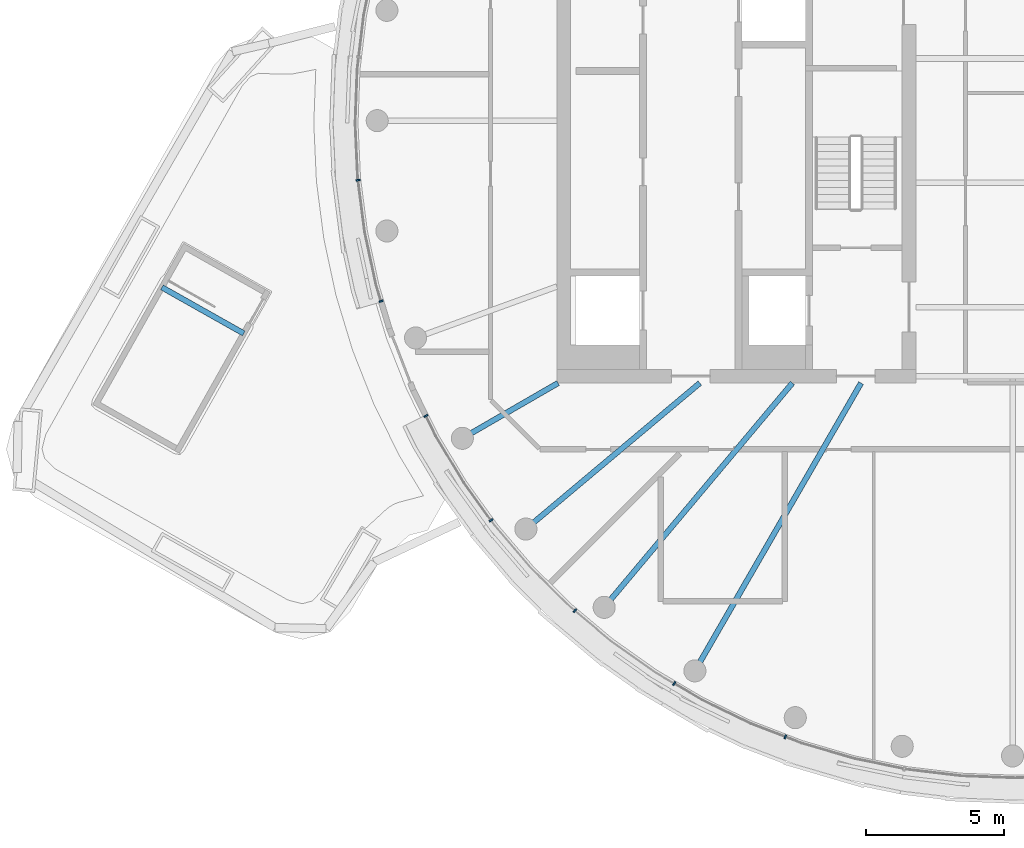
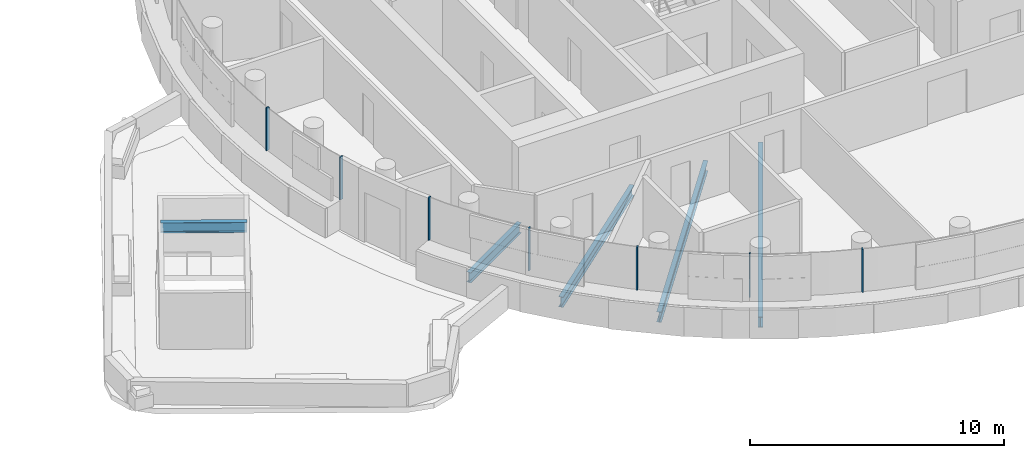
# One storey, part 2 of 22: 7 members, 5 beams, 1 element without a shape of its own.
"""IFC4 building model written with IfcOpenShell, lengths in metres."""

from ifc_helpers import new_model, si_unit, direction, frame, origin, origin_2d, place, context, subcontext, project, spatial, rectangle, i_section, extrude, material, layer, layer_set, material_profile, profile_set, type_object, element, aggregate, save


model = new_model("IFC4")

# Units and contexts
model_context = context("Model", 3, precision=1e-05, world=origin(), true_north=direction((0.0, 1.0)))
body_context = subcontext(model_context, "Body", "Model", "MODEL_VIEW")
ifc_project = project(units=[si_unit("LENGTHUNIT", "METRE"), si_unit("AREAUNIT", "SQUARE_METRE"), si_unit("VOLUMEUNIT", "CUBIC_METRE"), si_unit("PLANEANGLEUNIT", "RADIAN"), si_unit("MASSUNIT", "GRAM", prefix="KILO")], contexts=[model_context])

# Site, building, storey
site_placement = place(None, origin())
site = spatial("IfcSite", under=ifc_project, at=site_placement, CompositionType="ELEMENT")
building_placement = place(site_placement, origin())
building = spatial("IfcBuilding", under=site, at=building_placement, Name="Tamarind Cross Interchange Tower", CompositionType="ELEMENT")
storey_placement = place(building_placement, frame((0.0, 0.0, 256.800048828125)))
storey = spatial("IfcBuildingStorey", under=building, at=storey_placement, Name="L65", CompositionType="ELEMENT", Elevation=256.800048828125)

# Beams
ifc_material_1 = material(Name="Steel Q355B", Category="steel")
ifc_material_profile_1 = material_profile(ifc_material_1, i_section(OverallWidth=0.198974609375, OverallDepth=0.49609375, WebThickness=0.009033203125, FlangeThickness=0.013916015625, FilletRadius=0.012939453125, at=origin_2d()), Name="HN 496x199x9x14")
ifc_profile_set_1 = profile_set([ifc_material_profile_1], Name="Steel Q355B")
beam_type = type_object("IfcBeamType", Name="Composite beam HN 496x199x9x14 Q355B", PredefinedType="BEAM", material=ifc_profile_set_1)
beam_1_placement = place(storey_placement, frame((-19.918701171875, -11.5, -0.387939453125), z_axis=(0.866026010844, 0.49999894854, 0.0), x_axis=(-0.49999894854, 0.866026010844, 0.0)))
element("IfcBeam", 1, at=beam_1_placement, inside=storey, type_object=beam_type, Name="Beam HH21", PredefinedType="BEAM", context=body_context, shape_type="SweptSolid", body=[
    extrude(i_section(OverallWidth=0.198974609375, OverallDepth=0.49609375, WebThickness=0.009033203125, FlangeThickness=0.013916015625, FilletRadius=0.012939453125, at=origin_2d()), origin(), (0.0, 0.0, 1.0), 4.0),
])
beam_2_placement = place(storey_placement, frame((-17.619140625, -14.7841796875, -0.387939453125), z_axis=(0.766040580814, 0.642792212574, 0.0), x_axis=(-0.642792212574, 0.766040580814, 0.0)))
element("IfcBeam", 2, at=beam_2_placement, inside=storey, type_object=beam_type, Name="Beam HH22", PredefinedType="BEAM", context=body_context, shape_type="SweptSolid", body=[
    extrude(i_section(OverallWidth=0.198974609375, OverallDepth=0.49609375, WebThickness=0.009033203125, FlangeThickness=0.013916015625, FilletRadius=0.012939453125, at=origin_2d()), origin(), (0.0, 0.0, 1.0), 8.220703125),
])
beam_3_placement = place(storey_placement, frame((-14.7841796875, -17.619140625, -0.387939453125), z_axis=(0.642786293979, 0.766045547127, 0.0), x_axis=(-0.766045547127, 0.642786293979, 0.0)))
element("IfcBeam", 3, at=beam_3_placement, inside=storey, type_object=beam_type, Name="Beam HH23", PredefinedType="BEAM", context=body_context, shape_type="SweptSolid", body=[
    extrude(i_section(OverallWidth=0.198974609375, OverallDepth=0.49609375, WebThickness=0.009033203125, FlangeThickness=0.013916015625, FilletRadius=0.012939453125, at=origin_2d()), origin(), (0.0, 0.0, 1.0), 10.598876953125),
])
beam_4_placement = place(storey_placement, frame((-11.5, -19.918701171875, -0.387939453125), z_axis=(0.499993565836, 0.866029118519, 0.0), x_axis=(-0.866029118519, 0.499993565836, 0.0)))
element("IfcBeam", 4, at=beam_4_placement, inside=storey, type_object=beam_type, Name="Beam HH24", PredefinedType="BEAM", context=body_context, shape_type="SweptSolid", body=[
    extrude(i_section(OverallWidth=0.198974609375, OverallDepth=0.49609375, WebThickness=0.009033203125, FlangeThickness=0.013916015625, FilletRadius=0.012939453125, at=origin_2d()), origin(), (0.0, 0.0, 1.0), 12.030517578125),
])
beam_5_placement = place(storey_placement, frame((-27.833251953125, -7.70361328125, 2.552001953125), z_axis=(-0.871184040314, 0.490956584539, 0.0), x_axis=(-0.490956584539, -0.871184040314, 0.0)))
element("IfcBeam", 5, at=beam_5_placement, inside=storey, type_object=beam_type, Name="Beam head house ST5", PredefinedType="BEAM", context=body_context, shape_type="SweptSolid", body=[
    extrude(i_section(OverallWidth=0.198974609375, OverallDepth=0.49609375, WebThickness=0.009033203125, FlangeThickness=0.013916015625, FilletRadius=0.012939453125, at=origin_2d()), origin(), (0.0, 0.0, 1.0), 3.39990234375),
])

# Curtain wall, members
ifc_material_2 = material(Name="Aluminium 6063-T6", Category="aluminium")
ifc_layer = layer(ifc_material_2, 0.14990234375)
ifc_layer_set = layer_set([ifc_layer], Name="Aluminium 6063-T6")
curtain_wall_type = type_object("IfcCurtainWallType", Name="Winter garden and crown curtain wall", PredefinedType="NOTDEFINED", material=ifc_layer_set)
curtain_wall_placement = place(storey_placement, origin())
curtain_wall = element("IfcCurtainWall", 6, at=curtain_wall_placement, inside=storey, type_object=curtain_wall_type, Name="CWS-L65-01", PredefinedType="NOTDEFINED")
ifc_material_profile_2 = material_profile(ifc_material_2, rectangle(XDim=0.06005859375, YDim=0.14990234375, at=origin_2d()), Name="Mullion CW6")
ifc_profile_set_2 = profile_set([ifc_material_profile_2], Name="Aluminium 6063-T6")
member_type = type_object("IfcMemberType", Name="Mullion CW6", PredefinedType="MULLION", material=ifc_profile_set_2)
member_1_placement = place(storey_placement, frame((-23.6943359375, -2.1552734375, 1.39990234375), z_axis=(0.0, 0.0, 1.0), x_axis=(0.127962008342, -0.991779070368, 0.0)))
member_1 = element("IfcMember", 7, at=member_1_placement, type_object=member_type, Name="CWM-L65-01-06", PredefinedType="MULLION", context=body_context, shape_type="SweptSolid", body=[
    extrude(rectangle(XDim=0.06005859375, YDim=0.14990234375, at=origin_2d()), origin(), (0.0, 0.0, 1.0), 2.06005859375),
])
member_2_placement = place(storey_placement, frame((-22.862060546875, -6.53662109375, 1.39990234375), z_axis=(0.0, 0.0, 1.0), x_axis=(0.289458243079, -0.957190642199, 0.0)))
member_2 = element("IfcMember", 8, at=member_2_placement, type_object=member_type, Name="CWM-L65-01-07", PredefinedType="MULLION", context=body_context, shape_type="SweptSolid", body=[
    extrude(rectangle(XDim=0.06005859375, YDim=0.14990234375, at=origin_2d()), origin(), (0.0, 0.0, 1.0), 2.06005859375),
])
member_3_placement = place(storey_placement, frame((-21.238037109375, -10.68896484375, 1.39990234375), z_axis=(0.0, 0.0, 1.0), x_axis=(0.443058811505, -0.896492548518, 0.0)))
member_3 = element("IfcMember", 9, at=member_3_placement, type_object=member_type, Name="CWM-L65-01-08", PredefinedType="MULLION", context=body_context, shape_type="SweptSolid", body=[
    extrude(rectangle(XDim=0.06005859375, YDim=0.14990234375, at=origin_2d()), origin(), (0.0, 0.0, 1.0), 2.06005859375),
])
member_4_placement = place(storey_placement, frame((-18.876953125, -14.4716796875, 1.39990234375), z_axis=(0.0, 0.0, 1.0), x_axis=(0.584573890505, -0.811340475102, 0.0)))
member_4 = element("IfcMember", 10, at=member_4_placement, type_object=member_type, Name="CWM-L65-01-09", PredefinedType="MULLION", context=body_context, shape_type="SweptSolid", body=[
    extrude(rectangle(XDim=0.06005859375, YDim=0.14990234375, at=origin_2d()), origin(), (0.0, 0.0, 1.0), 2.06005859375),
])
member_5_placement = place(storey_placement, frame((-15.8447265625, -17.7412109375, 1.39990234375), z_axis=(0.0, 0.0, 1.0), x_axis=(0.765858396687, -0.643009266048, 0.0)))
member_5 = element("IfcMember", 11, at=member_5_placement, type_object=member_type, Name="CWM-L65-01-10", PredefinedType="MULLION", context=body_context, shape_type="SweptSolid", body=[
    extrude(rectangle(XDim=0.06005859375, YDim=0.14990234375, at=origin_2d()), origin(), (0.0, 0.0, 1.0), 2.06005859375),
])
member_6_placement = place(storey_placement, frame((-12.248779296875, -20.37841796875, 1.39990234375), z_axis=(0.0, 0.0, 1.0), x_axis=(0.861248933065, -0.508183308752, 0.0)))
member_6 = element("IfcMember", 12, at=member_6_placement, type_object=member_type, Name="CWM-L65-01-11", PredefinedType="MULLION", context=body_context, shape_type="SweptSolid", body=[
    extrude(rectangle(XDim=0.06005859375, YDim=0.14990234375, at=origin_2d()), origin(), (0.0, 0.0, 1.0), 2.06005859375),
])
member_7_placement = place(storey_placement, frame((-8.2294921875, -22.308349609375, 1.39990234375), z_axis=(0.0, 0.0, 1.0), x_axis=(0.933146843667, -0.359495435512, 0.0)))
member_7 = element("IfcMember", 13, at=member_7_placement, type_object=member_type, Name="CWM-L65-01-12", PredefinedType="MULLION", context=body_context, shape_type="SweptSolid", body=[
    extrude(rectangle(XDim=0.06005859375, YDim=0.14990234375, at=origin_2d()), origin(), (0.0, 0.0, 1.0), 2.06005859375),
])
aggregate(curtain_wall, [member_1, member_2, member_3, member_4, member_5, member_6, member_7])

save(model, "model.ifc")
